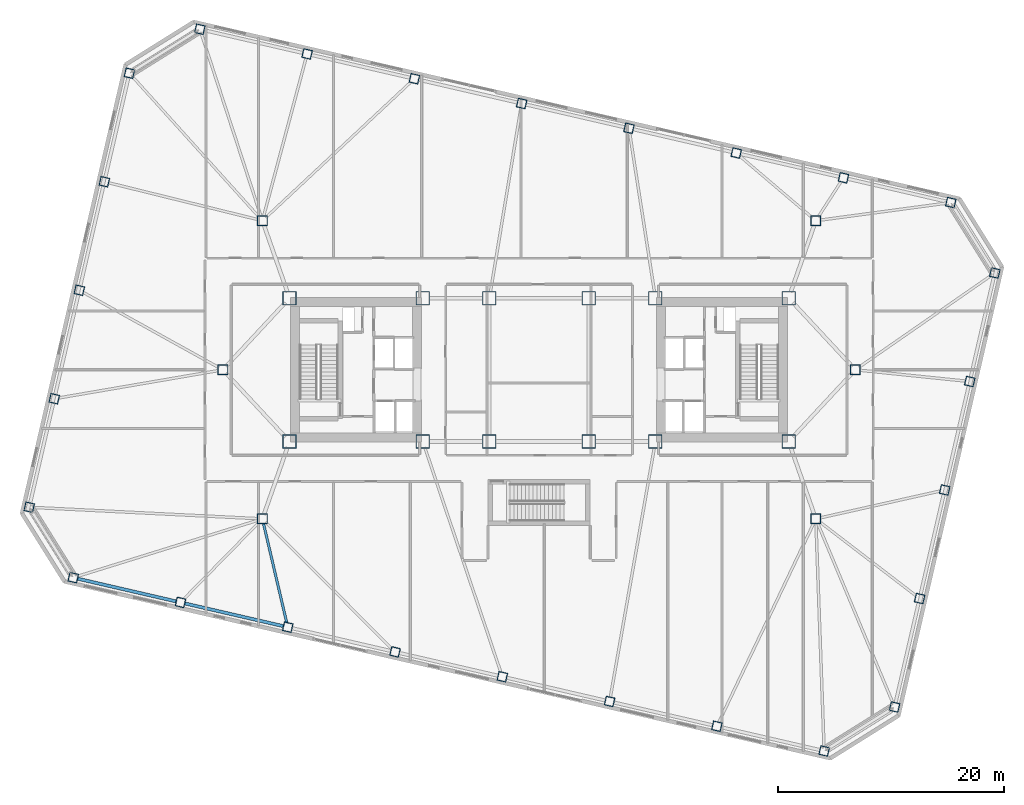
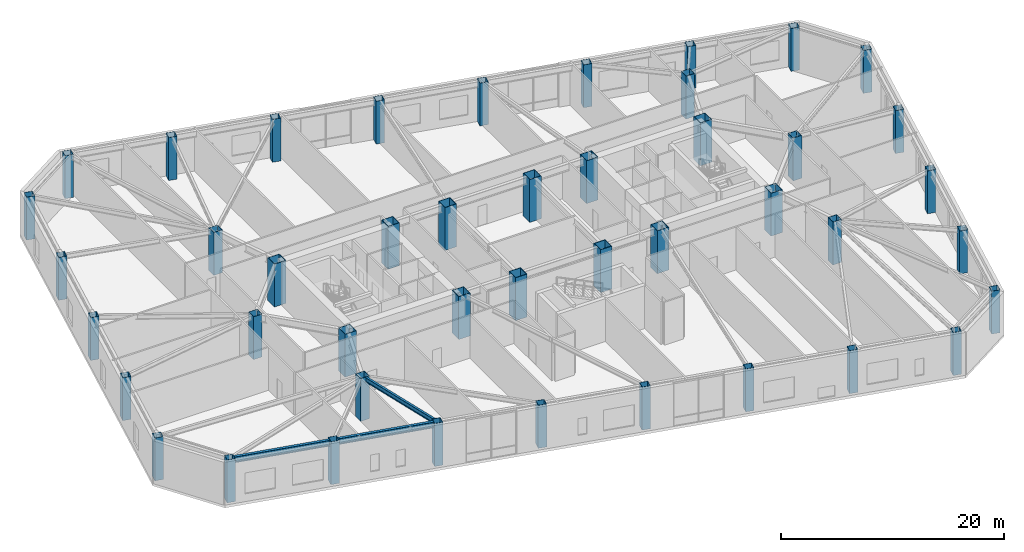
# One storey, part 1 of 20: 44 columns, 3 beams.
"""IFC4 building model written with IfcOpenShell, lengths in metres."""

from ifc_helpers import new_model, si_unit, direction, frame, origin, origin_2d, place, context, subcontext, project, spatial, hollow_rectangle, i_section, extrude, material, material_profile, profile_set, type_object, element, save


model = new_model("IFC4")

# Units and contexts
model_context = context("Model", 3, precision=1e-05, world=origin(), true_north=direction((0.0, 1.0)))
body_context = subcontext(model_context, "Body", "Model", "MODEL_VIEW")
ifc_project = project(units=[si_unit("LENGTHUNIT", "METRE"), si_unit("AREAUNIT", "SQUARE_METRE"), si_unit("VOLUMEUNIT", "CUBIC_METRE"), si_unit("PLANEANGLEUNIT", "RADIAN"), si_unit("MASSUNIT", "GRAM", prefix="KILO")], contexts=[model_context])

# Site, building, storey
site_placement = place(None, origin())
site = spatial("IfcSite", under=ifc_project, at=site_placement, CompositionType="ELEMENT")
building_placement = place(site_placement, origin())
building = spatial("IfcBuilding", under=site, at=building_placement, Name="Tavrogorsk Clinical Tower", CompositionType="ELEMENT")
storey_placement = place(building_placement, frame((0.0, 0.0, 18.39990234375)))
storey = spatial("IfcBuildingStorey", under=building, at=storey_placement, Name="L03", CompositionType="ELEMENT", Elevation=18.39990234375)

# Columns
ifc_material_1 = material(Name="Structural steel S440", Category="steel")
ifc_material_profile_1 = material_profile(ifc_material_1, hollow_rectangle(XDim=1.199951171875, YDim=1.199951171875, WallThickness=0.050048828125, at=origin_2d()), Name="BOX-1200x1200x50")
ifc_profile_set_1 = profile_set([ifc_material_profile_1], Name="Structural steel S440")
column_type_1 = type_object("IfcColumnType", Name="MegaCol_BOX1200", PredefinedType="COLUMN", material=ifc_profile_set_1)
for number, where, z_axis, x_axis, name in (
    (1, (-22.10009765625, -6.35009765625, 0.0), (0.0, 0.0, 1.0), (1.0, 0.0, 0.0), "L03 Mega Column MC-W1"),
    (2, (-22.10009765625, 6.35009765625, 0.0), (0.0, 0.0, 1.0), (1.0, 0.0, 0.0), "L03 Mega Column MC-W2"),
    (3, (-10.300048828125, -6.35009765625, 0.0), (0.0, 0.0, 1.0), (1.0, 0.0, 0.0), "L03 Mega Column MC-W3"),
    (4, (-10.300048828125, 6.35009765625, 0.0), (0.0, 0.0, 1.0), (1.0, 0.0, 0.0), "L03 Mega Column MC-W4"),
    (5, (10.300048828125, -6.35009765625, 0.0), (0.0, 0.0, 1.0), (1.0, 0.0, 0.0), "L03 Mega Column MC-E1"),
    (6, (10.300048828125, 6.35009765625, 0.0), (0.0, 0.0, 1.0), (1.0, 0.0, 0.0), "L03 Mega Column MC-E2"),
    (7, (22.10009765625, -6.35009765625, 0.0), (0.0, 0.0, 1.0), (1.0, 0.0, 0.0), "L03 Mega Column MC-E3"),
    (8, (22.10009765625, 6.35009765625, 0.0), (0.0, 0.0, 1.0), (1.0, 0.0, 0.0), "L03 Mega Column MC-E4"),
    (9, (-4.39990234375, -6.35009765625, 0.0), (0.0, 0.0, 1.0), (1.0, 0.0, 0.0), "L03 Mega Column MC-C1"),
    (10, (4.39990234375, -6.35009765625, 0.0), (0.0, 0.0, 1.0), (1.0, 0.0, 0.0), "L03 Mega Column MC-C2"),
    (11, (-4.39990234375, 6.35009765625, 0.0), (0.0, 0.0, 1.0), (1.0, 0.0, 0.0), "L03 Mega Column MC-C3"),
    (12, (4.39990234375, 6.35009765625, 0.0), (0.0, 0.0, 1.0), (1.0, 0.0, 0.0), "L03 Mega Column MC-C4"),
):
    element("IfcColumn", number, at=place(storey_placement, frame(where, z_axis=z_axis, x_axis=x_axis)), inside=storey, type_object=column_type_1, Name=name, PredefinedType="COLUMN", context=body_context, shape_type="SweptSolid", body=[
        extrude(hollow_rectangle(XDim=1.199951171875, YDim=1.199951171875, WallThickness=0.050048828125, at=origin_2d()), origin(), (0.0, 0.0, 1.0), 4.7001953125),
    ])
ifc_material_2 = material(Name="Structural steel S440", Category="steel")
ifc_material_profile_2 = material_profile(ifc_material_2, hollow_rectangle(XDim=0.89990234375, YDim=0.89990234375, WallThickness=0.0400390625, at=origin_2d()), Name="BOX-900x900x40")
ifc_profile_set_2 = profile_set([ifc_material_profile_2], Name="Structural steel S440")
column_type_2 = type_object("IfcColumnType", Name="MegaCol_BOX900", PredefinedType="COLUMN", material=ifc_profile_set_2)
for number, where, z_axis, x_axis, name in (
    (13, (-24.5, -13.199951171875, 0.0), (0.0, 0.0, 1.0), (1.0, 0.0, 0.0), "L03 Spine Pilotis Column MC-P1"),
    (14, (24.5, -13.199951171875, 0.0), (0.0, 0.0, 1.0), (1.0, 0.0, 0.0), "L03 Spine Pilotis Column MC-P2"),
    (15, (-24.5, 13.199951171875, 0.0), (0.0, 0.0, 1.0), (1.0, 0.0, 0.0), "L03 Spine Pilotis Column MC-P3"),
    (16, (24.5, 13.199951171875, 0.0), (0.0, 0.0, 1.0), (1.0, 0.0, 0.0), "L03 Spine Pilotis Column MC-P4"),
    (17, (-28.0, 0.0, 0.0), (0.0, 0.0, 1.0), (1.0, 0.0, 0.0), "L03 Spine Pilotis Column MC-P5"),
    (18, (28.0, 0.0, 0.0), (0.0, 0.0, 1.0), (1.0, 0.0, 0.0), "L03 Spine Pilotis Column MC-P6"),
):
    element("IfcColumn", number, at=place(storey_placement, frame(where, z_axis=z_axis, x_axis=x_axis)), inside=storey, type_object=column_type_2, Name=name, PredefinedType="COLUMN", context=body_context, shape_type="SweptSolid", body=[
        extrude(hollow_rectangle(XDim=0.89990234375, YDim=0.89990234375, WallThickness=0.0400390625, at=origin_2d()), origin(), (0.0, 0.0, 1.0), 4.7001953125),
    ])
ifc_material_3 = material(Name="Structural steel S440", Category="steel")
ifc_material_profile_3 = material_profile(ifc_material_3, hollow_rectangle(XDim=0.800048828125, YDim=0.800048828125, WallThickness=0.035888671875, at=origin_2d()), Name="BOX-800x800x36")
ifc_profile_set_3 = profile_set([ifc_material_profile_3], Name="Structural steel S440")
column_type_3 = type_object("IfcColumnType", Name="PerimCol_B1_BOX800", PredefinedType="COLUMN", material=ifc_profile_set_3)
for number, where, z_axis, x_axis, name in (
    (19, (-41.251220703125, -18.406005859375, 0.0), (0.0, 0.0, 1.0), (0.974370064785, -0.224951054344, 0.0), "L03 Perimeter Column S1"),
    (20, (-31.75244140625, -20.598876953125, 0.0), (0.0, 0.0, 1.0), (0.974370064785, -0.224951054344, 0.0), "L03 Perimeter Column S2"),
    (21, (-22.25390625, -22.7919921875, 0.0), (0.0, 0.0, 1.0), (0.974370064785, -0.224951054344, 0.0), "L03 Perimeter Column S3"),
    (22, (-12.755126953125, -24.98486328125, 0.0), (0.0, 0.0, 1.0), (0.974370064785, -0.224951054344, 0.0), "L03 Perimeter Column S4"),
    (23, (-3.25634765625, -27.177734375, 0.0), (0.0, 0.0, 1.0), (0.974370064785, -0.224951054344, 0.0), "L03 Perimeter Column S5"),
    (24, (6.2421875, -29.37060546875, 0.0), (0.0, 0.0, 1.0), (0.974370064785, -0.224951054344, 0.0), "L03 Perimeter Column S6"),
    (25, (15.740966796875, -31.563720703125, 0.0), (0.0, 0.0, 1.0), (0.974370064785, -0.224951054344, 0.0), "L03 Perimeter Column S7"),
    (26, (25.23974609375, -33.756591796875, 0.0), (0.0, 0.0, 1.0), (0.974370064785, -0.224951054344, 0.0), "L03 Perimeter Column S8"),
    (27, (36.451416015625, 14.805908203125, 0.0), (0.0, 0.0, 1.0), (0.974370064785, -0.224951054344, 0.0), "L03 Perimeter Column N1"),
    (28, (26.952392578125, 16.998779296875, 0.0), (0.0, 0.0, 1.0), (0.974370064785, -0.224951054344, 0.0), "L03 Perimeter Column N2"),
    (29, (17.453857421875, 19.19189453125, 0.0), (0.0, 0.0, 1.0), (0.974370064785, -0.224951054344, 0.0), "L03 Perimeter Column N3"),
    (30, (7.955078125, 21.384765625, 0.0), (0.0, 0.0, 1.0), (0.974370064785, -0.224951054344, 0.0), "L03 Perimeter Column N4"),
    (31, (-1.543701171875, 23.577880859375, 0.0), (0.0, 0.0, 1.0), (0.974370064785, -0.224951054344, 0.0), "L03 Perimeter Column N5"),
    (32, (-11.042236328125, 25.770751953125, 0.0), (0.0, 0.0, 1.0), (0.974370064785, -0.224951054344, 0.0), "L03 Perimeter Column N6"),
    (33, (-20.541015625, 27.963623046875, 0.0), (0.0, 0.0, 1.0), (0.974370064785, -0.224951054344, 0.0), "L03 Perimeter Column N7"),
    (34, (-30.039794921875, 30.156494140625, 0.0), (0.0, 0.0, 1.0), (0.974370064785, -0.224951054344, 0.0), "L03 Perimeter Column N8"),
    (35, (31.476318359375, -29.859619140625, 0.0), (0.0, 0.0, 1.0), (0.974370064785, -0.224951054344, 0.0), "L03 Perimeter Column E1"),
    (36, (33.694091796875, -20.25244140625, 0.0), (0.0, 0.0, 1.0), (0.974370064785, -0.224951054344, 0.0), "L03 Perimeter Column E2"),
    (37, (35.912109375, -10.64501953125, 0.0), (0.0, 0.0, 1.0), (0.974370064785, -0.224951054344, 0.0), "L03 Perimeter Column E3"),
    (38, (38.130126953125, -1.037841796875, 0.0), (0.0, 0.0, 1.0), (0.974370064785, -0.224951054344, 0.0), "L03 Perimeter Column E4"),
    (39, (40.348388671875, 8.569580078125, 0.0), (0.0, 0.0, 1.0), (0.974370064785, -0.224951054344, 0.0), "L03 Perimeter Column E5"),
    (40, (-36.276123046875, 26.259765625, 0.0), (0.0, 0.0, 1.0), (0.974370064785, -0.224951054344, 0.0), "L03 Perimeter Column W1"),
    (41, (-38.494140625, 16.65234375, 0.0), (0.0, 0.0, 1.0), (0.974370064785, -0.224951054344, 0.0), "L03 Perimeter Column W2"),
    (42, (-40.712158203125, 7.045166015625, 0.0), (0.0, 0.0, 1.0), (0.974370064785, -0.224951054344, 0.0), "L03 Perimeter Column W3"),
    (43, (-42.93017578125, -2.562255859375, 0.0), (0.0, 0.0, 1.0), (0.974370064785, -0.224951054344, 0.0), "L03 Perimeter Column W4"),
    (44, (-45.148193359375, -12.16943359375, 0.0), (0.0, 0.0, 1.0), (0.974370064785, -0.224951054344, 0.0), "L03 Perimeter Column W5"),
):
    element("IfcColumn", number, at=place(storey_placement, frame(where, z_axis=z_axis, x_axis=x_axis)), inside=storey, type_object=column_type_3, Name=name, PredefinedType="COLUMN", context=body_context, shape_type="SweptSolid", body=[
        extrude(hollow_rectangle(XDim=0.800048828125, YDim=0.800048828125, WallThickness=0.035888671875, at=origin_2d()), origin(), (0.0, 0.0, 1.0), 4.7001953125),
    ])

# Beams
ifc_material_4 = material(Name="Structural steel S355", Category="steel")
ifc_material_profile_4 = material_profile(ifc_material_4, i_section(OverallWidth=0.219970703125, OverallDepth=0.5, WebThickness=0.012939453125, FlangeThickness=0.02001953125, at=origin_2d()), Name="B-500x220x13x20")
ifc_profile_set_4 = profile_set([ifc_material_profile_4], Name="Structural steel S355")
beam_type_1 = type_object("IfcBeamType", Name="FloorBeam_B500", PredefinedType="BEAM", material=ifc_profile_set_4)
beam_placement = place(storey_placement, frame((-24.406494140625, -13.59912109375, 4.4501953125), z_axis=(0.227996771429, -0.973661888038, 0.0), x_axis=(0.973661888038, 0.227996771429, 0.0)))
element("IfcBeam", 45, at=beam_placement, inside=storey, type_object=beam_type_1, Name="L03 Radial Floor Beam S3", PredefinedType="BEAM", context=body_context, shape_type="SweptSolid", body=[
    extrude(i_section(OverallWidth=0.219970703125, OverallDepth=0.5, WebThickness=0.012939453125, FlangeThickness=0.02001953125, at=origin_2d()), origin(), (0.0, 0.0, 1.0), 9.033447265625),
])
ifc_material_5 = material(Name="Structural steel S390", Category="steel")
ifc_material_profile_5 = material_profile(ifc_material_5, i_section(OverallWidth=0.280029296875, OverallDepth=0.64990234375, WebThickness=0.01611328125, FlangeThickness=0.02490234375, at=origin_2d()), Name="B-650x280x16x25")
ifc_profile_set_5 = profile_set([ifc_material_profile_5], Name="Structural steel S390")
beam_type_2 = type_object("IfcBeamType", Name="SpandrelBeam_B650", PredefinedType="SPANDREL", material=ifc_profile_set_5)
for number, where, z_axis, x_axis, name in (
    (46, (-40.853759765625, -18.497802734375, 4.375), (0.974372766602, -0.224939351168, 0.0), (0.224939351168, 0.974372766602, 0.0), "L03 Perimeter Spandrel S1-S2"),
    (47, (-31.35498046875, -20.690673828125, 4.375), (0.974366775889, -0.224965299645, 0.0), (0.224965299645, 0.974366775889, 0.0), "L03 Perimeter Spandrel S2-S3"),
):
    element("IfcBeam", number, at=place(storey_placement, frame(where, z_axis=z_axis, x_axis=x_axis)), inside=storey, type_object=beam_type_2, Name=name, PredefinedType="SPANDREL", context=body_context, shape_type="SweptSolid", body=[
        extrude(i_section(OverallWidth=0.280029296875, OverallDepth=0.64990234375, WebThickness=0.01611328125, FlangeThickness=0.02490234375, at=origin_2d()), origin(), (0.0, 0.0, 1.0), 8.9326171875),
    ])

save(model, "model.ifc")
